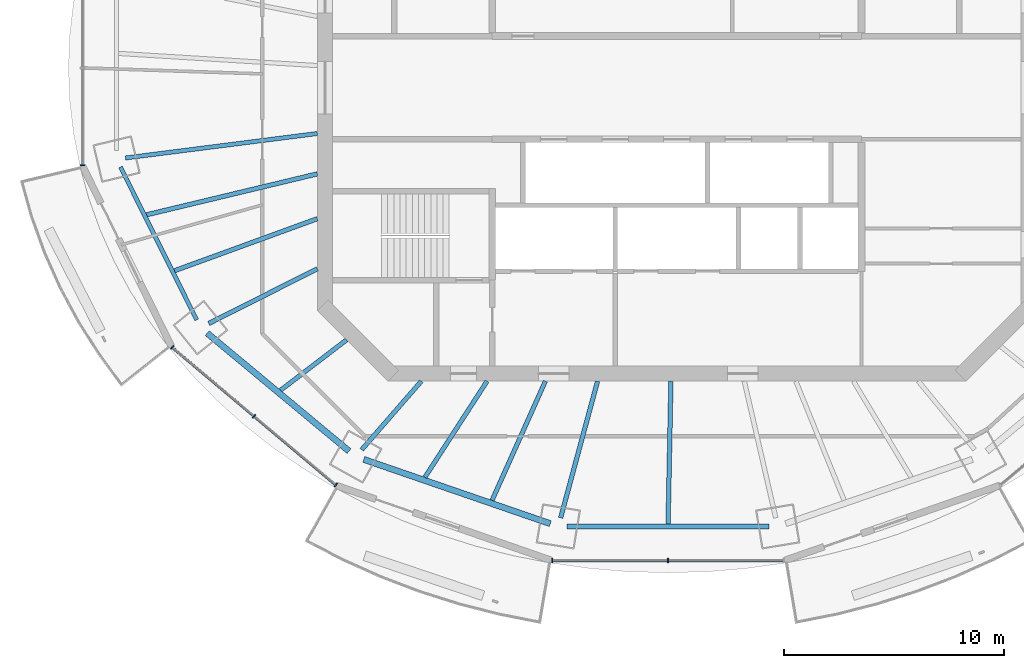
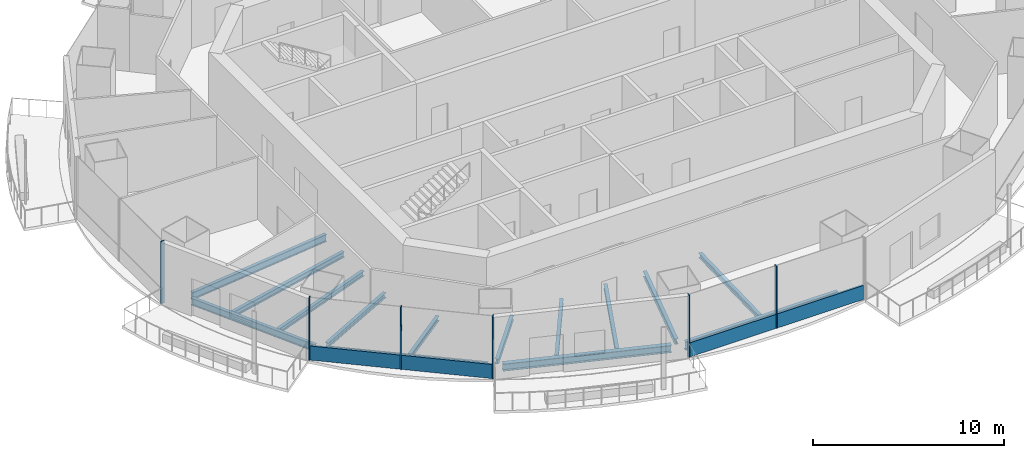
# One storey, part 2 of 16: 14 beams, 8 members, 3 elements without a shape of their own.
"""IFC4 building model written with IfcOpenShell, lengths in metres."""

from ifc_helpers import new_model, si_unit, direction, frame, origin, origin_2d, place, context, subcontext, project, spatial, rectangle, i_section, extrude, material, material_profile, profile_set, type_object, element, aggregate, save


model = new_model("IFC4")

# Units and contexts
model_context = context("Model", 3, precision=1e-05, world=origin(), true_north=direction((0.0, 1.0)))
body_context = subcontext(model_context, "Body", "Model", "MODEL_VIEW")
ifc_project = project(units=[si_unit("LENGTHUNIT", "METRE"), si_unit("AREAUNIT", "SQUARE_METRE"), si_unit("VOLUMEUNIT", "CUBIC_METRE"), si_unit("PLANEANGLEUNIT", "RADIAN"), si_unit("MASSUNIT", "GRAM", prefix="KILO")], contexts=[model_context])

# Site, building, storey
site_placement = place(None, origin())
site = spatial("IfcSite", under=ifc_project, at=site_placement, CompositionType="ELEMENT")
building_placement = place(site_placement, origin())
building = spatial("IfcBuilding", under=site, at=building_placement, Name="Marenthal Gate Tower", CompositionType="ELEMENT")
storey_placement = place(building_placement, frame((0.0, 0.0, 334.300048828125)))
storey = spatial("IfcBuildingStorey", under=building, at=storey_placement, Name="L75", CompositionType="ELEMENT", Elevation=334.300048828125)

# Curtain wall, member
ifc_material_1 = material(Name="Aluminium and glass", Category="aluminium")
curtain_wall_type = type_object("IfcCurtainWallType", Name="Curtain wall typical high", PredefinedType="NOTDEFINED", material=ifc_material_1)
curtain_wall_1_placement = place(storey_placement, origin())
curtain_wall_1 = element("IfcCurtainWall", 1, at=curtain_wall_1_placement, inside=storey, type_object=curtain_wall_type, Name="Curtain wall L75 bay 8", PredefinedType="NOTDEFINED")
ifc_material_2 = material(Name="Aluminium", Category="aluminium")
ifc_material_profile_1 = material_profile(ifc_material_2, rectangle(XDim=0.199951171875, YDim=0.06005859375, at=origin_2d()), Name="60x200 aluminium mullion")
ifc_profile_set_1 = profile_set([ifc_material_profile_1], Name="Aluminium")
member_type_1 = type_object("IfcMemberType", Name="Mullion 60x200 typical high", PredefinedType="MULLION", material=ifc_profile_set_1)
member_1_placement = place(storey_placement, frame((-27.02734375, -3.5263671875, 0.0), z_axis=(0.0, 0.0, 1.0), x_axis=(1.0, 0.0, 0.0)))
member_1 = element("IfcMember", 2, at=member_1_placement, type_object=member_type_1, Name="Mullion L75 bay 8.3", PredefinedType="MULLION", context=body_context, shape_type="SweptSolid", body=[
    extrude(rectangle(XDim=0.199951171875, YDim=0.06005859375, at=origin_2d()), origin(), (0.0, 0.0, 1.0), 3.969970703125),
])
aggregate(curtain_wall_1, [member_1])

# Curtain wall, members
curtain_wall_2_placement = place(storey_placement, origin())
curtain_wall_2 = element("IfcCurtainWall", 3, at=curtain_wall_2_placement, inside=storey, type_object=curtain_wall_type, Name="Curtain wall L75 bay 10", PredefinedType="NOTDEFINED")
member_2_placement = place(storey_placement, frame((-22.95068359375, -11.8095703125, 0.0), z_axis=(0.0, 0.0, 1.0), x_axis=(0.643800653639, 0.765193255572, 0.0)))
member_2 = element("IfcMember", 4, at=member_2_placement, type_object=member_type_1, Name="Mullion L75 bay 10.1", PredefinedType="MULLION", context=body_context, shape_type="SweptSolid", body=[
    extrude(rectangle(XDim=0.199951171875, YDim=0.06005859375, at=origin_2d()), origin(), (0.0, 0.0, 1.0), 3.969970703125),
])
member_3_placement = place(storey_placement, frame((-19.228515625, -14.94140625, 0.0), z_axis=(0.0, 0.0, 1.0), x_axis=(0.643800653639, 0.765193255572, 0.0)))
member_3 = element("IfcMember", 5, at=member_3_placement, type_object=member_type_1, Name="Mullion L75 bay 10.2", PredefinedType="MULLION", context=body_context, shape_type="SweptSolid", body=[
    extrude(rectangle(XDim=0.199951171875, YDim=0.06005859375, at=origin_2d()), origin(), (0.0, 0.0, 1.0), 3.969970703125),
])
member_4_placement = place(storey_placement, frame((-15.506103515625, -18.072998046875, 0.0), z_axis=(0.0, 0.0, 1.0), x_axis=(0.643800653639, 0.765193255572, 0.0)))
member_4 = element("IfcMember", 6, at=member_4_placement, type_object=member_type_1, Name="Mullion L75 bay 10.3", PredefinedType="MULLION", context=body_context, shape_type="SweptSolid", body=[
    extrude(rectangle(XDim=0.199951171875, YDim=0.06005859375, at=origin_2d()), origin(), (0.0, 0.0, 1.0), 3.969970703125),
])

curtain_wall_3_placement = place(storey_placement, origin())
curtain_wall_3 = element("IfcCurtainWall", 7, at=curtain_wall_3_placement, inside=storey, type_object=curtain_wall_type, Name="Curtain wall L75 bay 12", PredefinedType="NOTDEFINED")
member_5_placement = place(storey_placement, frame((-5.66650390625, -21.503173828125, 0.0), z_axis=(0.0, 0.0, 1.0), x_axis=(0.0, 1.0, 0.0)))
member_5 = element("IfcMember", 8, at=member_5_placement, type_object=member_type_1, Name="Mullion L75 bay 12.1", PredefinedType="MULLION", context=body_context, shape_type="SweptSolid", body=[
    extrude(rectangle(XDim=0.199951171875, YDim=0.06005859375, at=origin_2d()), origin(), (0.0, 0.0, 1.0), 3.969970703125),
])
member_6_placement = place(storey_placement, frame((-0.39990234375, -21.503173828125, 0.0), z_axis=(0.0, 0.0, 1.0), x_axis=(0.0, 1.0, 0.0)))
member_6 = element("IfcMember", 9, at=member_6_placement, type_object=member_type_1, Name="Mullion L75 bay 12.2", PredefinedType="MULLION", context=body_context, shape_type="SweptSolid", body=[
    extrude(rectangle(XDim=0.199951171875, YDim=0.06005859375, at=origin_2d()), origin(), (0.0, 0.0, 1.0), 3.969970703125),
])

# Member
ifc_material_3 = material(Name="Aluminium", Category="aluminium")
ifc_material_profile_2 = material_profile(ifc_material_3, rectangle(XDim=0.1201171875, YDim=0.89990234375, at=origin_2d()), Name="120x900 aluminium transom")
ifc_profile_set_2 = profile_set([ifc_material_profile_2], Name="Aluminium")
member_type_2 = type_object("IfcMemberType", Name="Transom 120x900 typical high", PredefinedType="USERDEFINED", material=ifc_profile_set_2)
member_7_placement = place(storey_placement, frame((-22.927734375, -11.828857421875, 0.449951171875), z_axis=(0.765197260539, -0.643795893482, 0.0), x_axis=(0.643795893482, 0.765197260539, 0.0)))
member_7 = element("IfcMember", 10, at=member_7_placement, type_object=member_type_2, Name="Transom L75 bay 10", ObjectType="TRANSOM", PredefinedType="USERDEFINED", context=body_context, shape_type="SweptSolid", body=[
    extrude(rectangle(XDim=0.1201171875, YDim=0.89990234375, at=origin_2d()), origin(), (0.0, 0.0, 1.0), 9.6689453125),
])

aggregate(curtain_wall_2, [member_2, member_3, member_4, member_7])

member_8_placement = place(storey_placement, frame((-5.636474609375, -21.503173828125, 0.449951171875), z_axis=(1.0, 0.0, 0.0), x_axis=(0.0, 1.0, 0.0)))
member_8 = element("IfcMember", 11, at=member_8_placement, type_object=member_type_2, Name="Transom L75 bay 12", ObjectType="TRANSOM", PredefinedType="USERDEFINED", context=body_context, shape_type="SweptSolid", body=[
    extrude(rectangle(XDim=0.1201171875, YDim=0.89990234375, at=origin_2d()), origin(), (0.0, 0.0, 1.0), 10.472900390625),
])

aggregate(curtain_wall_3, [member_5, member_6, member_8])

# Beams
ifc_material_4 = material(Name="Steel S355", Category="steel")
ifc_material_profile_3 = material_profile(ifc_material_4, i_section(OverallWidth=0.202880859375, OverallDepth=0.302001953125, WebThickness=0.007568359375, FlangeThickness=0.01318359375, FilletRadius=0.0126953125, at=origin_2d()), Name="W310X60")
ifc_profile_set_3 = profile_set([ifc_material_profile_3], Name="Steel S355")
beam_type_1 = type_object("IfcBeamType", Name="W310X60 beam", PredefinedType="BEAM", material=ifc_profile_set_3)
beam_1_placement = place(storey_placement, frame((-18.018798828125, -13.7587890625, -0.3310546875), z_axis=(0.79476951827, 0.606911371478, 0.0), x_axis=(-0.606911371478, 0.79476951827, 0.0)))
element("IfcBeam", 12, at=beam_1_placement, inside=storey, type_object=beam_type_1, Name="BM-L75-31", PredefinedType="BEAM", context=body_context, shape_type="SweptSolid", body=[
    extrude(i_section(OverallWidth=0.202880859375, OverallDepth=0.302001953125, WebThickness=0.007568359375, FlangeThickness=0.01318359375, FilletRadius=0.0126953125, at=origin_2d()), origin(), (0.0, 0.0, 1.0), 3.768798828125),
])
beam_2_placement = place(storey_placement, frame((-11.455078125, -17.71630859375, -0.3310546875), z_axis=(0.542986471311, 0.839741443525, 0.0), x_axis=(-0.839741443525, 0.542986471311, 0.0)))
element("IfcBeam", 13, at=beam_2_placement, inside=storey, type_object=beam_type_1, Name="BM-L75-32", PredefinedType="BEAM", context=body_context, shape_type="SweptSolid", body=[
    extrude(i_section(OverallWidth=0.202880859375, OverallDepth=0.302001953125, WebThickness=0.007568359375, FlangeThickness=0.01318359375, FilletRadius=0.0126953125, at=origin_2d()), origin(), (0.0, 0.0, 1.0), 5.199462890625),
])
beam_3_placement = place(storey_placement, frame((-8.4033203125, -18.767333984375, -0.3310546875), z_axis=(0.408651950458, 0.912690299821, 0.0), x_axis=(-0.912690299821, 0.408651950458, 0.0)))
element("IfcBeam", 14, at=beam_3_placement, inside=storey, type_object=beam_type_1, Name="BM-L75-33", PredefinedType="BEAM", context=body_context, shape_type="SweptSolid", body=[
    extrude(i_section(OverallWidth=0.202880859375, OverallDepth=0.302001953125, WebThickness=0.007568359375, FlangeThickness=0.01318359375, FilletRadius=0.0126953125, at=origin_2d()), origin(), (0.0, 0.0, 1.0), 5.935546875),
])
ifc_material_5 = material(Name="Steel S355", Category="steel")
ifc_material_profile_4 = material_profile(ifc_material_5, i_section(OverallWidth=0.205078125, OverallDepth=0.31005859375, WebThickness=0.009521484375, FlangeThickness=0.016357421875, FilletRadius=0.0126953125, at=origin_2d()), Name="W310X74")
ifc_profile_set_4 = profile_set([ifc_material_profile_4], Name="Steel S355")
beam_type_2 = type_object("IfcBeamType", Name="W310X74 beam", PredefinedType="BEAM", material=ifc_profile_set_4)
beam_4_placement = place(storey_placement, frame((-21.284423828125, -10.723388671875, -0.3349609375), z_axis=(0.893053214165, 0.449951060306, 0.0), x_axis=(-0.449951060306, 0.893053214165, 0.0)))
element("IfcBeam", 15, at=beam_4_placement, inside=storey, type_object=beam_type_2, Name="BM-L75-10", PredefinedType="BEAM", context=body_context, shape_type="SweptSolid", body=[
    extrude(i_section(OverallWidth=0.205078125, OverallDepth=0.31005859375, WebThickness=0.009521484375, FlangeThickness=0.016357421875, FilletRadius=0.0126953125, at=origin_2d()), origin(), (0.0, 0.0, 1.0), 5.525146484375),
])
beam_5_placement = place(storey_placement, frame((-14.32958984375, -16.4619140625, -0.3349609375), z_axis=(0.65656687646, 0.754267814994, 0.0), x_axis=(-0.754267814994, 0.65656687646, 0.0)))
element("IfcBeam", 16, at=beam_5_placement, inside=storey, type_object=beam_type_2, Name="BM-L75-11", PredefinedType="BEAM", context=body_context, shape_type="SweptSolid", body=[
    extrude(i_section(OverallWidth=0.205078125, OverallDepth=0.31005859375, WebThickness=0.009521484375, FlangeThickness=0.016357421875, FilletRadius=0.0126953125, at=origin_2d()), origin(), (0.0, 0.0, 1.0), 4.125732421875),
])
beam_6_placement = place(storey_placement, frame((-22.842041015625, -8.32470703125, -0.3349609375), z_axis=(0.939548686615, 0.342415340603, 0.0), x_axis=(-0.342415340603, 0.939548686615, 0.0)))
element("IfcBeam", 17, at=beam_6_placement, inside=storey, type_object=beam_type_2, Name="BM-L75-30", PredefinedType="BEAM", context=body_context, shape_type="SweptSolid", body=[
    extrude(i_section(OverallWidth=0.205078125, OverallDepth=0.31005859375, WebThickness=0.009521484375, FlangeThickness=0.016357421875, FilletRadius=0.0126953125, at=origin_2d()), origin(), (0.0, 0.0, 1.0), 6.90966796875),
])
beam_7_placement = place(storey_placement, frame((-0.39794921875, -19.847412109375, -0.3349609375), z_axis=(0.020061343442, 0.999798750999, 0.0), x_axis=(-0.999798750999, 0.020061343442, 0.0)))
element("IfcBeam", 18, at=beam_7_placement, inside=storey, type_object=beam_type_2, Name="BM-L75-34", PredefinedType="BEAM", context=body_context, shape_type="SweptSolid", body=[
    extrude(i_section(OverallWidth=0.205078125, OverallDepth=0.31005859375, WebThickness=0.009521484375, FlangeThickness=0.016357421875, FilletRadius=0.0126953125, at=origin_2d()), origin(), (0.0, 0.0, 1.0), 6.49853515625),
])
ifc_material_6 = material(Name="Steel S355", Category="steel")
ifc_material_profile_5 = material_profile(ifc_material_6, i_section(OverallWidth=0.205078125, OverallDepth=0.35302734375, WebThickness=0.009521484375, FlangeThickness=0.016845703125, FilletRadius=0.014892578125, at=origin_2d()), Name="W360X79")
ifc_profile_set_5 = profile_set([ifc_material_profile_5], Name="Steel S355")
beam_type_3 = type_object("IfcBeamType", Name="W360X79 beam", PredefinedType="BEAM", material=ifc_profile_set_5)
beam_8_placement = place(storey_placement, frame((-5.282958984375, -19.56298828125, -0.3564453125), z_axis=(0.260737983714, 0.965409604183, 0.0), x_axis=(-0.965409604183, 0.260737983714, 0.0)))
element("IfcBeam", 19, at=beam_8_placement, inside=storey, type_object=beam_type_3, Name="BM-L75-12", PredefinedType="BEAM", context=body_context, shape_type="SweptSolid", body=[
    extrude(i_section(OverallWidth=0.205078125, OverallDepth=0.35302734375, WebThickness=0.009521484375, FlangeThickness=0.016845703125, FilletRadius=0.014892578125, at=origin_2d()), origin(), (0.0, 0.0, 1.0), 6.435546875),
])
beam_9_placement = place(storey_placement, frame((-24.109619140625, -5.780029296875, -0.3564453125), z_axis=(0.972442265011, 0.233143820891, 0.0), x_axis=(-0.233143820891, 0.972442265011, 0.0)))
element("IfcBeam", 20, at=beam_9_placement, inside=storey, type_object=beam_type_3, Name="BM-L75-29", PredefinedType="BEAM", context=body_context, shape_type="SweptSolid", body=[
    extrude(i_section(OverallWidth=0.205078125, OverallDepth=0.35302734375, WebThickness=0.009521484375, FlangeThickness=0.016845703125, FilletRadius=0.014892578125, at=origin_2d()), origin(), (0.0, 0.0, 1.0), 7.9794921875),
])
ifc_material_7 = material(Name="Steel S355", Category="steel")
ifc_material_profile_6 = material_profile(ifc_material_7, i_section(OverallWidth=0.279052734375, OverallDepth=0.4619140625, WebThickness=0.0107421875, FlangeThickness=0.017333984375, FilletRadius=0.010009765625, at=origin_2d()), Name="W460X113")
ifc_profile_set_6 = profile_set([ifc_material_profile_6], Name="Steel S355")
beam_type_4 = type_object("IfcBeamType", Name="W460X113 beam", PredefinedType="BEAM", material=ifc_profile_set_6)
beam_10_placement = place(storey_placement, frame((-21.357666015625, -11.163818359375, -0.4111328125), z_axis=(0.768898121521, -0.639371315217, 0.0), x_axis=(0.639371315217, 0.768898121521, 0.0)))
element("IfcBeam", 21, at=beam_10_placement, inside=storey, type_object=beam_type_4, Name="BM-L75-50", PredefinedType="BEAM", context=body_context, shape_type="SweptSolid", body=[
    extrude(i_section(OverallWidth=0.279052734375, OverallDepth=0.4619140625, WebThickness=0.0107421875, FlangeThickness=0.017333984375, FilletRadius=0.010009765625, at=origin_2d()), origin(), (0.0, 0.0, 1.0), 8.391357421875),
])
beam_11_placement = place(storey_placement, frame((-14.23779296875, -16.9052734375, -0.4111328125), z_axis=(0.945479632751, -0.325681230736, 0.0), x_axis=(0.325681230736, 0.945479632751, 0.0)))
element("IfcBeam", 22, at=beam_11_placement, inside=storey, type_object=beam_type_4, Name="BM-L75-51", PredefinedType="BEAM", context=body_context, shape_type="SweptSolid", body=[
    extrude(i_section(OverallWidth=0.279052734375, OverallDepth=0.4619140625, WebThickness=0.0107421875, FlangeThickness=0.017333984375, FilletRadius=0.010009765625, at=origin_2d()), origin(), (0.0, 0.0, 1.0), 8.972412109375),
])
ifc_material_8 = material(Name="Steel S355", Category="steel")
ifc_material_profile_7 = material_profile(ifc_material_8, i_section(OverallWidth=0.19091796875, OverallDepth=0.45703125, WebThickness=0.009033203125, FlangeThickness=0.014404296875, FilletRadius=0.01025390625, at=origin_2d()), Name="W460X74")
ifc_profile_set_7 = profile_set([ifc_material_profile_7], Name="Steel S355")
beam_type_5 = type_object("IfcBeamType", Name="W460X74 beam", PredefinedType="BEAM", material=ifc_profile_set_7)
beam_12_placement = place(storey_placement, frame((-25.30029296875, -3.604248046875, -0.408447265625), z_axis=(0.445880705054, -0.895092395712, 0.0), x_axis=(0.895092395712, 0.445880705054, 0.0)))
element("IfcBeam", 23, at=beam_12_placement, inside=storey, type_object=beam_type_5, Name="BM-L75-49", PredefinedType="BEAM", context=body_context, shape_type="SweptSolid", body=[
    extrude(i_section(OverallWidth=0.19091796875, OverallDepth=0.45703125, WebThickness=0.009033203125, FlangeThickness=0.014404296875, FilletRadius=0.01025390625, at=origin_2d()), origin(), (0.0, 0.0, 1.0), 7.76904296875),
])
ifc_material_9 = material(Name="Steel S355", Category="steel")
ifc_material_profile_8 = material_profile(ifc_material_9, i_section(OverallWidth=0.193115234375, OverallDepth=0.467041015625, WebThickness=0.011474609375, FlangeThickness=0.01904296875, FilletRadius=0.010009765625, at=origin_2d()), Name="W460X97")
ifc_profile_set_8 = profile_set([ifc_material_profile_8], Name="Steel S355")
beam_type_6 = type_object("IfcBeamType", Name="W460X97 beam", PredefinedType="BEAM", material=ifc_profile_set_8)
beam_13_placement = place(storey_placement, frame((-25.07568359375, -3.19677734375, -0.41357421875), z_axis=(0.991972610542, 0.126452915882, 0.0), x_axis=(-0.126452915882, 0.991972610542, 0.0)))
element("IfcBeam", 24, at=beam_13_placement, inside=storey, type_object=beam_type_6, Name="BM-L75-09", PredefinedType="BEAM", context=body_context, shape_type="SweptSolid", body=[
    extrude(i_section(OverallWidth=0.193115234375, OverallDepth=0.467041015625, WebThickness=0.011474609375, FlangeThickness=0.01904296875, FilletRadius=0.010009765625, at=origin_2d()), origin(), (0.0, 0.0, 1.0), 8.796142578125),
])
ifc_material_10 = material(Name="Steel S355", Category="steel")
ifc_material_profile_9 = material_profile(ifc_material_10, i_section(OverallWidth=0.2119140625, OverallDepth=0.5439453125, WebThickness=0.01318359375, FlangeThickness=0.021240234375, FilletRadius=0.0126953125, at=origin_2d()), Name="W530X123")
ifc_profile_set_9 = profile_set([ifc_material_profile_9], Name="Steel S355")
beam_type_7 = type_object("IfcBeamType", Name="W530X123 beam", PredefinedType="BEAM", material=ifc_profile_set_9)
beam_14_placement = place(storey_placement, frame((-5.00146484375, -19.95361328125, -0.4521484375), z_axis=(1.0, 0.0, 0.0), x_axis=(0.0, 1.0, 0.0)))
element("IfcBeam", 25, at=beam_14_placement, inside=storey, type_object=beam_type_7, Name="BM-L75-52", PredefinedType="BEAM", context=body_context, shape_type="SweptSolid", body=[
    extrude(i_section(OverallWidth=0.2119140625, OverallDepth=0.5439453125, WebThickness=0.01318359375, FlangeThickness=0.021240234375, FilletRadius=0.0126953125, at=origin_2d()), origin(), (0.0, 0.0, 1.0), 9.202880859375),
])

save(model, "model.ifc")
